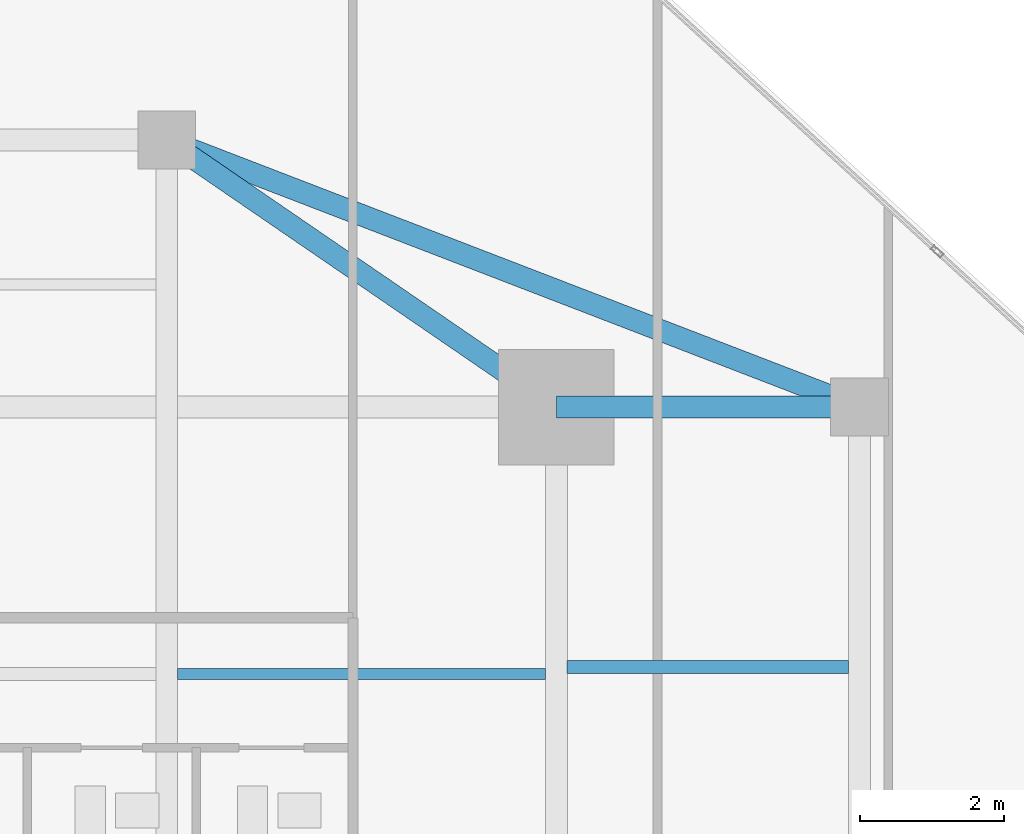
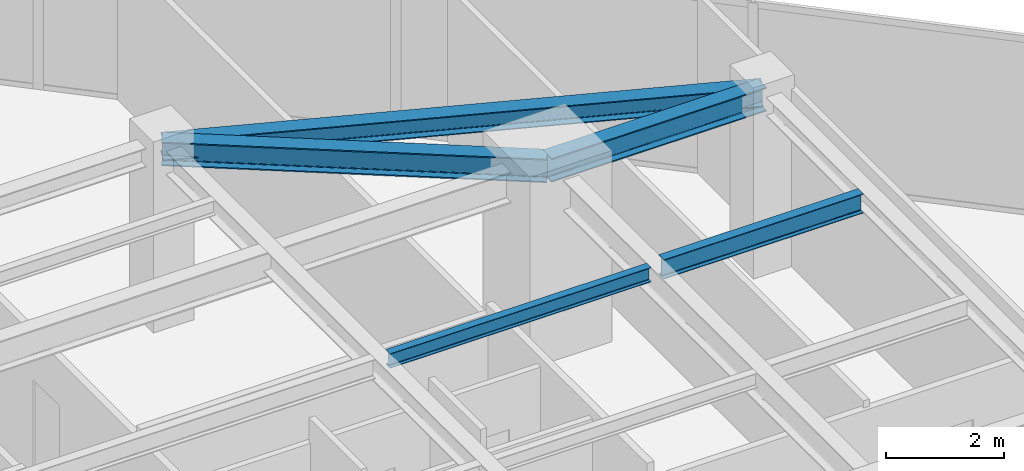
# One storey, part 18 of 26: 5 beams.
"""IFC4 building model written with IfcOpenShell, lengths in metres."""

from ifc_helpers import new_model, si_unit, direction, frame, origin, origin_2d, place, context, subcontext, project, spatial, i_section, extrude, source, transform, mapped, material, material_profile, profile_set, type_object, type_shapes, element, save


model = new_model("IFC4")

# Units and contexts
model_context = context("Model", 3, precision=1e-05, world=origin(), true_north=direction((0.0, 1.0)))
body_context = subcontext(model_context, "Body", "Model", "MODEL_VIEW")
ifc_project = project(units=[si_unit("LENGTHUNIT", "METRE"), si_unit("AREAUNIT", "SQUARE_METRE"), si_unit("VOLUMEUNIT", "CUBIC_METRE"), si_unit("PLANEANGLEUNIT", "RADIAN"), si_unit("MASSUNIT", "GRAM", prefix="KILO")], contexts=[model_context])

# Site, building, storey
site_placement = place(None, origin())
site = spatial("IfcSite", under=ifc_project, at=site_placement, CompositionType="ELEMENT")
building_placement = place(site_placement, origin())
building = spatial("IfcBuilding", under=site, at=building_placement, Name="Krantzveldt Concourse Tower", CompositionType="ELEMENT")
storey_placement = place(building_placement, frame((0.0, 0.0, 223.10009765625)))
storey = spatial("IfcBuildingStorey", under=building, at=storey_placement, Name="L54", CompositionType="ELEMENT", Elevation=223.10009765625)

# Beams
ifc_material = material(Name="Steel S355JR", Category="steel")
ifc_material_profile_1 = material_profile(ifc_material, i_section(OverallWidth=0.300048828125, OverallDepth=0.389892578125, WebThickness=0.010986328125, FlangeThickness=0.01904296875, FilletRadius=0.027099609375, at=origin_2d()), Name="Steel S355JR", Category="steel")
ifc_profile_set_1 = profile_set([ifc_material_profile_1], Name="Steel S355JR - HEA 400")
beam_type_1 = type_object("IfcBeamType", Name="BM-SP-HEA400", PredefinedType="SPANDREL", material=ifc_profile_set_1)
shared_shape_1 = source(origin(), body_context, "Body", "SweptSolid", [
    extrude(i_section(OverallWidth=0.300048828125, OverallDepth=0.389892578125, WebThickness=0.010986328125, FlangeThickness=0.01904296875, FilletRadius=0.027099609375, at=origin_2d()), origin(), (0.0, 0.0, 1.0), 10.288330078125),
])
type_shapes(beam_type_1, [shared_shape_1])
beam_1_placement = place(storey_placement, frame((41.39990234375, 41.199951171875, 3.474853515625), z_axis=(0.933097690408, -0.359622997257, 0.0), x_axis=(0.359622997257, 0.933097690408, 0.0)))
element("IfcBeam", 1, at=beam_1_placement, inside=storey, type_object=beam_type_1, Name="L54 Tower Girder SP-R05", PredefinedType="SPANDREL", context=body_context, shape_type="MappedRepresentation", body=[
    mapped(shared_shape_1, transform((0.0, 0.0, 0.0), x_axis=(1.0, 0.0, 0.0), y_axis=(0.0, 1.0, 0.0), z_axis=(0.0, 0.0, 1.0), scale=1.0)),
])
ifc_material_profile_2 = material_profile(ifc_material, i_section(OverallWidth=0.300048828125, OverallDepth=0.489990234375, WebThickness=0.011962890625, FlangeThickness=0.02294921875, FilletRadius=0.027099609375, at=origin_2d()), Name="Steel S355JR", Category="steel")
ifc_profile_set_2 = profile_set([ifc_material_profile_2], Name="Steel S355JR - HEA 500")
beam_type_2 = type_object("IfcBeamType", Name="BM-B-HEA500", PredefinedType="BEAM", material=ifc_profile_set_2)
shared_shape_2 = source(origin(), body_context, "Body", "SweptSolid", [
    extrude(i_section(OverallWidth=0.300048828125, OverallDepth=0.489990234375, WebThickness=0.011962890625, FlangeThickness=0.02294921875, FilletRadius=0.027099609375, at=origin_2d()), origin(), (0.0, 0.0, 1.0), 4.199951171875),
])
beam_2_placement = place(storey_placement, frame((46.800048828125, 37.5, 3.4248046875), z_axis=(1.0, 0.0, 0.0), x_axis=(0.0, 1.0, 0.0)))
element("IfcBeam", 2, at=beam_2_placement, inside=storey, type_object=beam_type_2, Name="L54 Tower Girder BR-RR3", PredefinedType="BEAM", context=body_context, shape_type="MappedRepresentation", body=[
    mapped(shared_shape_2, transform((0.0, 0.0, 0.0), x_axis=(1.0, 0.0, 0.0), y_axis=(0.0, 1.0, 0.0), z_axis=(0.0, 0.0, 1.0), scale=1.0)),
])
shared_shape_3 = source(origin(), body_context, "Body", "SweptSolid", [
    extrude(i_section(OverallWidth=0.300048828125, OverallDepth=0.489990234375, WebThickness=0.011962890625, FlangeThickness=0.02294921875, FilletRadius=0.027099609375, at=origin_2d()), origin(), (0.0, 0.0, 1.0), 6.546142578125),
])
type_shapes(beam_type_2, [shared_shape_2, shared_shape_3])
beam_3_placement = place(storey_placement, frame((46.800048828125, 37.5, 3.4248046875), z_axis=(-0.824942999484, 0.565215930068, 0.0), x_axis=(-0.565215930068, -0.824942999484, 0.0)))
element("IfcBeam", 3, at=beam_3_placement, inside=storey, type_object=beam_type_2, Name="L54 Tower Girder BR-RR4", PredefinedType="BEAM", context=body_context, shape_type="MappedRepresentation", body=[
    mapped(shared_shape_3, transform((0.0, 0.0, 0.0), x_axis=(1.0, 0.0, 0.0), y_axis=(0.0, 1.0, 0.0), z_axis=(0.0, 0.0, 1.0), scale=1.0)),
])
ifc_material_profile_3 = material_profile(ifc_material, i_section(OverallWidth=0.14990234375, OverallDepth=0.300048828125, WebThickness=0.007080078125, FlangeThickness=0.0107421875, FilletRadius=0.014892578125, at=origin_2d()), Name="Steel S355JR", Category="steel")
ifc_profile_set_3 = profile_set([ifc_material_profile_3], Name="Steel S355JR - IPE 300")
beam_type_3 = type_object("IfcBeamType", Name="BM-J-IPE300", PredefinedType="JOIST", material=ifc_profile_set_3)
shared_shape_4 = source(origin(), body_context, "Body", "SweptSolid", [
    extrude(i_section(OverallWidth=0.14990234375, OverallDepth=0.300048828125, WebThickness=0.007080078125, FlangeThickness=0.0107421875, FilletRadius=0.014892578125, at=origin_2d()), origin(), (0.0, 0.0, 1.0), 5.099853515625),
])
type_shapes(beam_type_3, [shared_shape_4])
beam_4_placement = place(storey_placement, frame((41.550048828125, 33.800048828125, 3.52001953125), z_axis=(1.0, 0.0, 0.0), x_axis=(0.0, 1.0, 0.0)))
element("IfcBeam", 4, at=beam_4_placement, inside=storey, type_object=beam_type_3, Name="L54 Secondary Floor Joist JN-E2", PredefinedType="JOIST", context=body_context, shape_type="MappedRepresentation", body=[
    mapped(shared_shape_4, transform((0.0, 0.0, 0.0), x_axis=(1.0, 0.0, 0.0), y_axis=(0.0, 1.0, 0.0), z_axis=(0.0, 0.0, 1.0), scale=1.0)),
])
ifc_material_profile_4 = material_profile(ifc_material, i_section(OverallWidth=0.179931640625, OverallDepth=0.39990234375, WebThickness=0.008544921875, FlangeThickness=0.013427734375, FilletRadius=0.02099609375, at=origin_2d()), Name="Steel S355JR", Category="steel")
ifc_profile_set_4 = profile_set([ifc_material_profile_4], Name="Steel S355JR - IPE 400")
beam_type_4 = type_object("IfcBeamType", Name="BM-J-IPE400", PredefinedType="JOIST", material=ifc_profile_set_4)
shared_shape_5 = source(origin(), body_context, "Body", "SweptSolid", [
    extrude(i_section(OverallWidth=0.179931640625, OverallDepth=0.39990234375, WebThickness=0.008544921875, FlangeThickness=0.013427734375, FilletRadius=0.02099609375, at=origin_2d()), origin(), (0.0, 0.0, 1.0), 3.900146484375),
])
type_shapes(beam_type_4, [shared_shape_5])
beam_5_placement = place(storey_placement, frame((46.949951171875, 33.89990234375, 3.469970703125), z_axis=(1.0, 0.0, 0.0), x_axis=(0.0, 1.0, 0.0)))
element("IfcBeam", 5, at=beam_5_placement, inside=storey, type_object=beam_type_4, Name="L54 Secondary Floor Joist JE-4", PredefinedType="JOIST", context=body_context, shape_type="MappedRepresentation", body=[
    mapped(shared_shape_5, transform((0.0, 0.0, 0.0), x_axis=(1.0, 0.0, 0.0), y_axis=(0.0, 1.0, 0.0), z_axis=(0.0, 0.0, 1.0), scale=1.0)),
])

save(model, "model.ifc")
